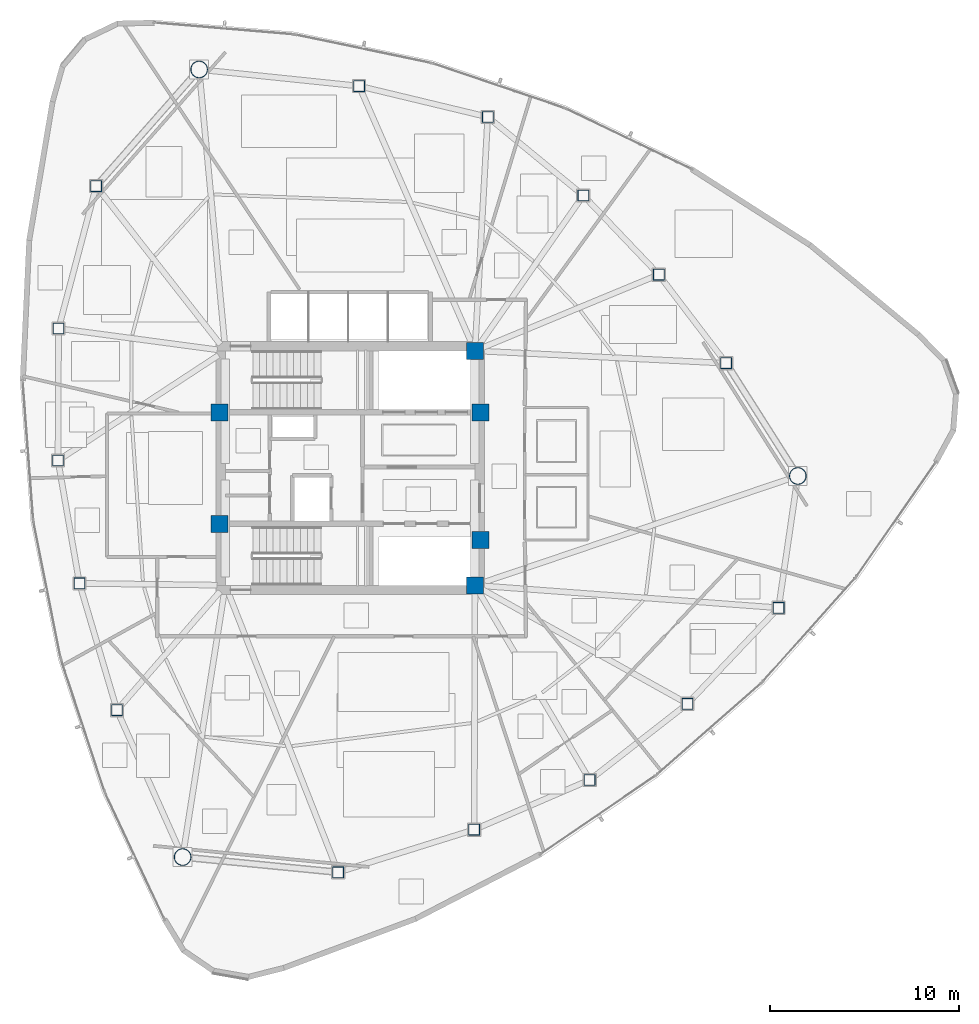
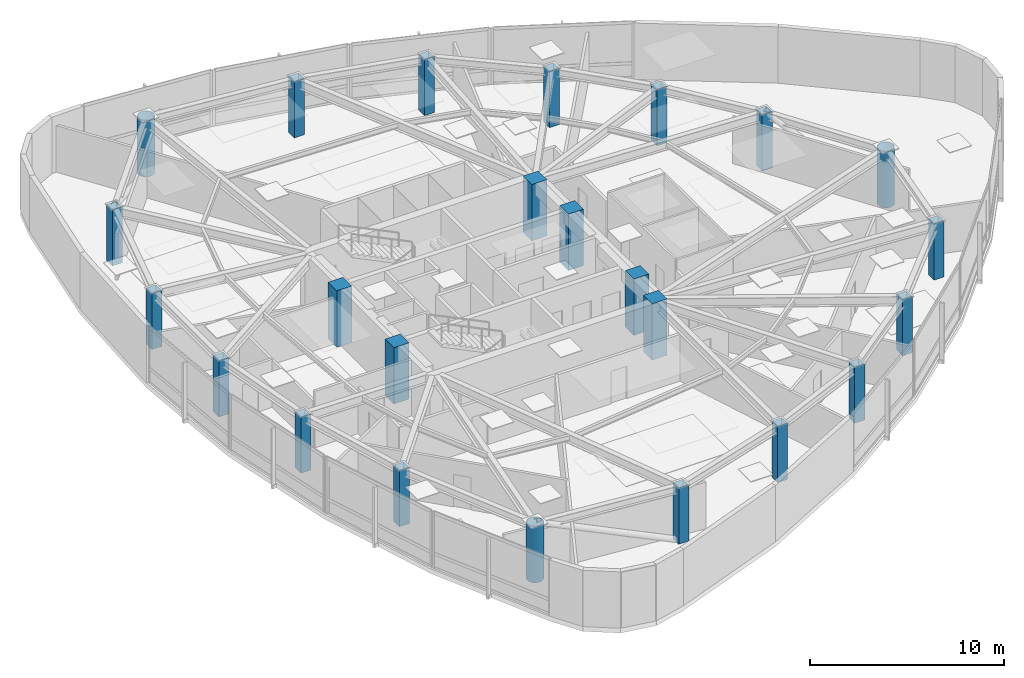
# One storey, part 1 of 17: 24 columns.
"""IFC4 building model written with IfcOpenShell, lengths in metres."""

from ifc_helpers import new_model, si_unit, direction, frame, origin, origin_2d, place, context, subcontext, project, spatial, rectangle, hollow_rectangle, hollow_circle, extrude, material, material_profile, profile_set, type_object, element, save


model = new_model("IFC4")

# Units and contexts
model_context = context("Model", 3, precision=1e-05, world=origin(), true_north=direction((0.0, 1.0)))
body_context = subcontext(model_context, "Body", "Model", "MODEL_VIEW")
ifc_project = project(units=[si_unit("LENGTHUNIT", "METRE"), si_unit("AREAUNIT", "SQUARE_METRE"), si_unit("VOLUMEUNIT", "CUBIC_METRE"), si_unit("PLANEANGLEUNIT", "RADIAN"), si_unit("MASSUNIT", "GRAM", prefix="KILO")], contexts=[model_context])

# Site, building, storey
site_placement = place(None, origin())
site = spatial("IfcSite", under=ifc_project, at=site_placement, CompositionType="ELEMENT")
building_placement = place(site_placement, origin())
building = spatial("IfcBuilding", under=site, at=building_placement, Name="Tavelor Broadcast Tower", CompositionType="ELEMENT")
storey_placement = place(building_placement, frame((0.0, 0.0, 192.60009765625)))
storey = spatial("IfcBuildingStorey", under=building, at=storey_placement, Name="L46", CompositionType="ELEMENT", Elevation=192.60009765625)

# Columns
ifc_material_1 = material(Name="Concrete C50/60", Category="concrete")
ifc_material_profile_1 = material_profile(ifc_material_1, rectangle(XDim=0.89990234375, YDim=0.89990234375, at=origin_2d()), Name="RC 900x900")
ifc_profile_set_1 = profile_set([ifc_material_profile_1], Name="Concrete C50/60")
column_type_1 = type_object("IfcColumnType", Name="Core Embedded Composite Column RC900", PredefinedType="COLUMN", material=ifc_profile_set_1)
for number, where, z_axis, x_axis, name in (
    (1, (43.10009765625, 47.949951171875, 0.0), (0.0, 0.0, 1.0), (1.0, 0.0, 0.0), "L46 Core Embedded Column 1"),
    (2, (56.89990234375, 47.949951171875, 0.0), (0.0, 0.0, 1.0), (1.0, 0.0, 0.0), "L46 Core Embedded Column 2"),
    (3, (56.60009765625, 51.199951171875, 0.0), (0.0, 0.0, 1.0), (1.0, 0.0, 0.0), "L46 Core Embedded Column 3"),
    (4, (43.10009765625, 42.050048828125, 0.0), (0.0, 0.0, 1.0), (1.0, 0.0, 0.0), "L46 Core Embedded Column 4"),
    (5, (56.89990234375, 41.199951171875, 0.0), (0.0, 0.0, 1.0), (1.0, 0.0, 0.0), "L46 Core Embedded Column 5"),
    (6, (56.60009765625, 38.800048828125, 0.0), (0.0, 0.0, 1.0), (1.0, 0.0, 0.0), "L46 Core Embedded Column 6"),
):
    element("IfcColumn", number, at=place(storey_placement, frame(where, z_axis=z_axis, x_axis=x_axis)), inside=storey, type_object=column_type_1, Name=name, PredefinedType="COLUMN", context=body_context, shape_type="SweptSolid", body=[
        extrude(rectangle(XDim=0.89990234375, YDim=0.89990234375, at=origin_2d()), origin(), (0.0, 0.0, 1.0), 3.5498046875),
    ])
ifc_material_2 = material(Name="Steel S460", Category="steel")
ifc_material_profile_2 = material_profile(ifc_material_2, hollow_rectangle(XDim=0.60009765625, YDim=0.60009765625, WallThickness=0.035888671875, at=origin_2d()), Name="SHS 600x600x36")
ifc_profile_set_2 = profile_set([ifc_material_profile_2], Name="Steel S460")
column_type_2 = type_object("IfcColumnType", Name="Perimeter Tube Column T4 SHS 600x600x36", PredefinedType="COLUMN", material=ifc_profile_set_2)
for number, where, z_axis, x_axis, name in (
    (7, (36.567626953125, 59.91064453125, 0.0), (0.0, 0.0, 1.0), (1.0, 0.0, 0.0), "L46 Perimeter Framed-Tube Column 02"),
    (8, (34.5751953125, 52.37939453125, 0.0), (0.0, 0.0, 1.0), (1.0, 0.0, 0.0), "L46 Perimeter Framed-Tube Column 03"),
    (9, (34.54638671875, 45.399169921875, 0.0), (0.0, 0.0, 1.0), (1.0, 0.0, 0.0), "L46 Perimeter Framed-Tube Column 04"),
    (10, (35.680908203125, 38.89990234375, 0.0), (0.0, 0.0, 1.0), (1.0, 0.0, 0.0), "L46 Perimeter Framed-Tube Column 05"),
    (11, (37.668212890625, 32.1904296875, 0.0), (0.0, 0.0, 1.0), (1.0, 0.0, 0.0), "L46 Perimeter Framed-Tube Column 06"),
    (12, (49.366455078125, 23.618896484375, 0.0), (0.0, 0.0, 1.0), (1.0, 0.0, 0.0), "L46 Perimeter Framed-Tube Column 08"),
    (13, (56.56103515625, 25.872802734375, 0.0), (0.0, 0.0, 1.0), (1.0, 0.0, 0.0), "L46 Perimeter Framed-Tube Column 09"),
    (14, (62.669189453125, 28.503173828125, 0.0), (0.0, 0.0, 1.0), (1.0, 0.0, 0.0), "L46 Perimeter Framed-Tube Column 10"),
    (15, (67.84228515625, 32.53173828125, 0.0), (0.0, 0.0, 1.0), (1.0, 0.0, 0.0), "L46 Perimeter Framed-Tube Column 11"),
    (16, (72.6591796875, 37.607421875, 0.0), (0.0, 0.0, 1.0), (1.0, 0.0, 0.0), "L46 Perimeter Framed-Tube Column 12"),
    (17, (69.885986328125, 50.544189453125, 0.0), (0.0, 0.0, 1.0), (1.0, 0.0, 0.0), "L46 Perimeter Framed-Tube Column 14"),
    (18, (66.322021484375, 55.228759765625, 0.0), (0.0, 0.0, 1.0), (1.0, 0.0, 0.0), "L46 Perimeter Framed-Tube Column 15"),
    (19, (62.330810546875, 59.416259765625, 0.0), (0.0, 0.0, 1.0), (1.0, 0.0, 0.0), "L46 Perimeter Framed-Tube Column 16"),
    (20, (57.276611328125, 63.568359375, 0.0), (0.0, 0.0, 1.0), (1.0, 0.0, 0.0), "L46 Perimeter Framed-Tube Column 17"),
    (21, (50.472412109375, 65.2021484375, 0.0), (0.0, 0.0, 1.0), (1.0, 0.0, 0.0), "L46 Perimeter Framed-Tube Column 18"),
):
    element("IfcColumn", number, at=place(storey_placement, frame(where, z_axis=z_axis, x_axis=x_axis)), inside=storey, type_object=column_type_2, Name=name, PredefinedType="COLUMN", context=body_context, shape_type="SweptSolid", body=[
        extrude(hollow_rectangle(XDim=0.60009765625, YDim=0.60009765625, WallThickness=0.035888671875, at=origin_2d()), origin(), (0.0, 0.0, 1.0), 3.5498046875),
    ])
ifc_material_profile_3 = material_profile(ifc_material_2, hollow_circle(Radius=0.45703125, WallThickness=0.0400390625, at=origin_2d()), Name="CHS 914x40")
ifc_profile_set_3 = profile_set([ifc_material_profile_3], Name="Steel S460")
column_type_3 = type_object("IfcColumnType", Name="Tower Mega Column T4 CHS 914x40", PredefinedType="COLUMN", material=ifc_profile_set_3)
for number, where, z_axis, x_axis, name in (
    (22, (42.01123046875, 66.080078125, 0.0), (0.0, 0.0, 1.0), (1.0, 0.0, 0.0), "L46 Tower Corner Mega Column 01"),
    (23, (41.138671875, 24.423828125, 0.0), (0.0, 0.0, 1.0), (1.0, 0.0, 0.0), "L46 Tower Corner Mega Column 07"),
    (24, (73.676025390625, 44.57958984375, 0.0), (0.0, 0.0, 1.0), (1.0, 0.0, 0.0), "L46 Tower Corner Mega Column 13"),
):
    element("IfcColumn", number, at=place(storey_placement, frame(where, z_axis=z_axis, x_axis=x_axis)), inside=storey, type_object=column_type_3, Name=name, PredefinedType="COLUMN", context=body_context, shape_type="SweptSolid", body=[
        extrude(hollow_circle(Radius=0.45703125, WallThickness=0.0400390625, at=origin_2d()), origin(), (0.0, 0.0, 1.0), 3.5498046875),
    ])

save(model, "model.ifc")
